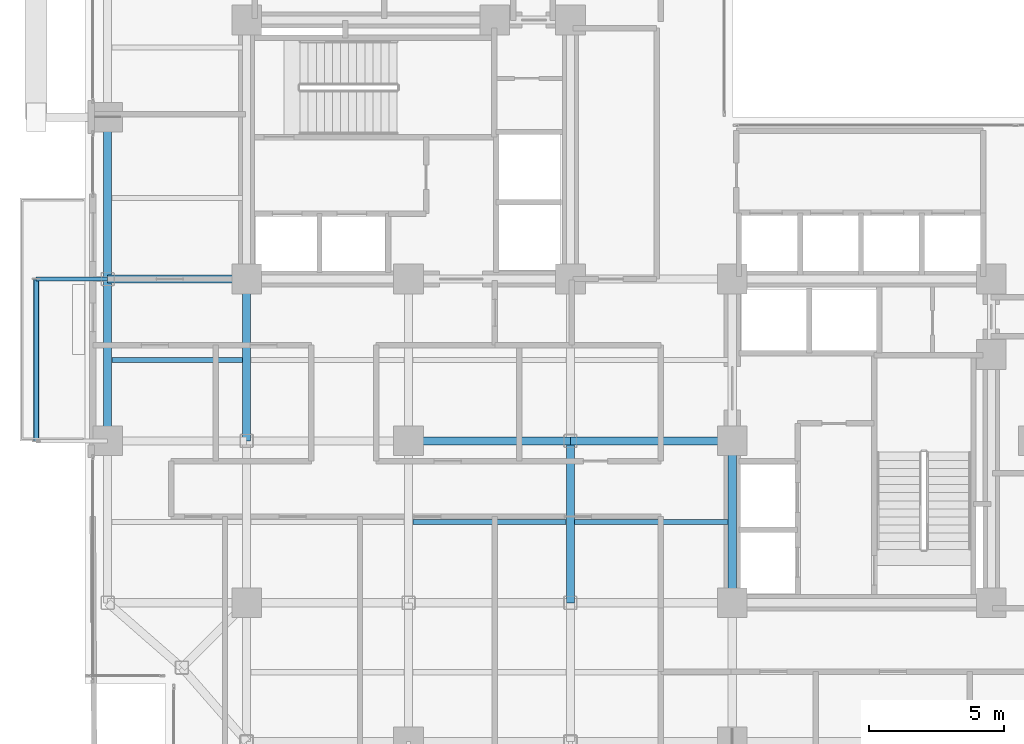
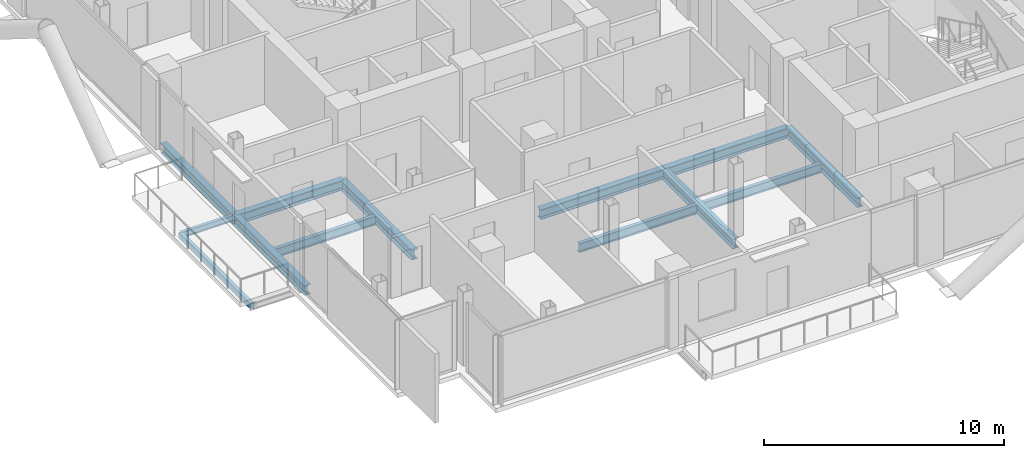
# One storey, part 5 of 24: 13 beams.
"""IFC4 building model written with IfcOpenShell, lengths in metres."""

import ifcopenshell
import ifcopenshell.guid

model = None  # the IFC model being written
_history = None  # IfcOwnerHistory: only IFC2X3 demands one
_inside = {}  # id of a spatial element -> (the spatial element, [elements in it])
_under = {}  # id of a project, library or spatial element -> (it, [spatial elements below it])
_declared = {}  # id of a project -> (the project, [libraries it declares])
_typed = {}  # id of a type object -> (the type object, [elements of that type])
_made_of = {}  # id of a material, layer set ... -> (it, [elements and type objects made of it])


def new_model(schema):
    """Start an empty IFC model of exactly this schema.

    Asked for "IFC4X3", IfcOpenShell would pick the latest addendum, in which some entities
    have other attributes; the version numbers below select the first issue.
    IFC2X3 requires an IfcOwnerHistory on every rooted entity: one is made here for all.
    """
    global model, _history
    if schema == "IFC4X3":
        model = ifcopenshell.file(schema_version=(4, 3, 0, 0))
    else:
        model = ifcopenshell.file(schema=schema)
    _inside.clear()
    _under.clear()
    _declared.clear()
    _typed.clear()
    _made_of.clear()
    _history = None
    if model.schema == "IFC2X3":
        org = make("IfcOrganization", Name="unknown")
        user = make(
            "IfcPersonAndOrganization",
            ThePerson=make("IfcPerson", FamilyName="unknown"),
            TheOrganization=org,
        )
        app = make(
            "IfcApplication",
            ApplicationDeveloper=org,
            Version="unknown",
            ApplicationFullName="unknown",
            ApplicationIdentifier="unknown",
        )
        _history = make(
            "IfcOwnerHistory",
            OwningUser=user,
            OwningApplication=app,
            ChangeAction="ADDED",
            CreationDate=0,
        )
    return model


def make(cls, **values):
    """One entity of the class cls with the attributes given. An attribute that is None is left unset."""
    return model.create_entity(
        cls, **{name: value for name, value in values.items() if value is not None}
    )


def rooted(cls, **values):
    """An entity with a GlobalId (a new one), such as an element, a storey or a relation."""
    return make(cls, GlobalId=ifcopenshell.guid.new(), OwnerHistory=_history, **values)


def si_unit(unit_type, name, prefix=None):
    """IfcSIUnit, for example si_unit("LENGTHUNIT", "METRE", prefix="MILLI")."""
    return make("IfcSIUnit", UnitType=unit_type, Prefix=prefix, Name=name)


def assignment(units):
    """IfcUnitAssignment: the units of a project."""
    return None if units is None else make("IfcUnitAssignment", Units=units)


def point(xyz):
    """IfcCartesianPoint."""
    return None if xyz is None else make("IfcCartesianPoint", Coordinates=xyz)


def direction(xyz):
    """IfcDirection."""
    return None if xyz is None else make("IfcDirection", DirectionRatios=xyz)


def frame(location, z_axis=None, x_axis=None):
    """IfcAxis2Placement3D, a coordinate frame: its origin and axes. An axis left out is left unset."""
    return make(
        "IfcAxis2Placement3D",
        Location=point(location),
        Axis=direction(z_axis),
        RefDirection=direction(x_axis),
    )


def frame_2d(location, x_axis=None):
    """IfcAxis2Placement2D, a coordinate frame in the plane: its origin and x axis."""
    return make(
        "IfcAxis2Placement2D", Location=point(location), RefDirection=direction(x_axis)
    )


def origin():
    """The frame at (0, 0, 0) with its axes left unset."""
    return frame((0.0, 0.0, 0.0))


def origin_2d():
    """The frame at (0, 0) in the plane with its x axis left unset."""
    return frame_2d((0.0, 0.0))


def place(relative_to, where):
    """IfcLocalPlacement: puts the frame where relative to a parent placement (None: the world)."""
    return make(
        "IfcLocalPlacement", PlacementRelTo=relative_to, RelativePlacement=where
    )


def context(
    kind, dimensions, precision=None, world=None, true_north=None, identifier=None
):
    """IfcGeometricRepresentationContext, for example the 3D "Model" context."""
    return make(
        "IfcGeometricRepresentationContext",
        ContextIdentifier=identifier,
        ContextType=kind,
        CoordinateSpaceDimension=dimensions,
        Precision=precision,
        WorldCoordinateSystem=world,
        TrueNorth=true_north,
    )


def subcontext(parent, identifier, kind, view, scale=None):
    """IfcGeometricRepresentationSubContext, for example "Body" below "Model"."""
    return make(
        "IfcGeometricRepresentationSubContext",
        ContextIdentifier=identifier,
        ContextType=kind,
        ParentContext=parent,
        TargetScale=scale,
        TargetView=view,
    )


def project(units=None, contexts=None):
    """IfcProject with its units and contexts."""
    return rooted(
        "IfcProject",
        Name="project",
        RepresentationContexts=contexts,
        UnitsInContext=assignment(units),
    )


def spatial(cls, under=None, at=None, **own):
    """A site, building, storey or space (cls), placed at a placement, below another one or the project."""
    s = rooted(cls, ObjectPlacement=at, **own)
    if under is not None:
        _under.setdefault(under.id(), (under, []))[1].append(s)
    return s


def profile(cls, at=None, kind="AREA", **sizes):
    """A parametric profile (cls). Its sizes go by their IFC names, for example OverallWidth=200.0."""
    return make(cls, ProfileType=kind, Position=at, **sizes)


def hollow_rectangle(**sizes):
    """IfcRectangleHollowProfileDef."""
    return profile("IfcRectangleHollowProfileDef", **sizes)


def i_section(**sizes):
    """IfcIShapeProfileDef."""
    return profile("IfcIShapeProfileDef", **sizes)


def extrude(swept, where, along, depth):
    """IfcExtrudedAreaSolid: the profile swept, set in the frame where, extruded along a direction by depth."""
    return make(
        "IfcExtrudedAreaSolid",
        SweptArea=swept,
        Position=where,
        ExtrudedDirection=direction(along),
        Depth=depth,
    )


def shape(context_of_items, identifier, shape_type, items):
    """IfcShapeRepresentation: the items that make up one representation, for example the "Body"."""
    return make(
        "IfcShapeRepresentation",
        ContextOfItems=context_of_items,
        RepresentationIdentifier=identifier,
        RepresentationType=shape_type,
        Items=items,
    )


def material(Name=None, Category=None):
    """IfcMaterial."""
    return make("IfcMaterial", Name=Name, Category=Category)


def material_profile(
    of_material, cross_section, Name=None, Category=None, Priority=None
):
    """IfcMaterialProfile: a cross section and its material."""
    return make(
        "IfcMaterialProfile",
        Name=Name,
        Material=of_material,
        Profile=cross_section,
        Priority=Priority,
        Category=Category,
    )


def profile_set(profiles, Name=None, composite=None):
    """IfcMaterialProfileSet."""
    return make(
        "IfcMaterialProfileSet",
        Name=Name,
        MaterialProfiles=profiles,
        CompositeProfile=composite,
    )


def made_of(thing, what):
    """Note that an element or type object is made of a material, layer set ...; save() writes the relation."""
    if what is not None:
        _made_of.setdefault(what.id(), (what, []))[1].append(thing)
    return thing


def type_object(cls, material=None, **own):
    """A type object (cls), such as IfcWallType, which elements share."""
    return made_of(rooted(cls, **own), material)


def element(
    cls,
    number,
    at=None,
    inside=None,
    cuts=None,
    type_object=None,
    material=None,
    context=None,
    identifier="Body",
    shape_type=None,
    held_by="IfcProductDefinitionShape",
    body=None,
    shapes=None,
    **own,
):
    """One element of the class cls, such as IfcWall. Its Tag is "e" and its number.

    at: its placement. inside: the storey or other place that contains it. cuts: it is an
    opening in that element (IfcRelVoidsElement). A single representation is given by context,
    identifier, shape_type and body (its items); several are given by shapes. held_by: the class
    of the entity that holds the representations. save() writes the other relations.
    """
    e = rooted(cls, Tag="e%d" % number, ObjectPlacement=at, **own)
    if body is not None:
        shapes = [shape(context, identifier, shape_type, body)]
    if shapes is not None:
        e.Representation = make(held_by, Representations=shapes)
    if inside is not None:
        _inside.setdefault(inside.id(), (inside, []))[1].append(e)
    if cuts is not None:
        rooted(
            "IfcRelVoidsElement", RelatingBuildingElement=cuts, RelatedOpeningElement=e
        )
    if type_object is not None:
        _typed.setdefault(type_object.id(), (type_object, []))[1].append(e)
    return made_of(e, material)


def aggregate(whole, parts):
    """IfcRelAggregates: a whole, such as a stair, and the parts it consists of."""
    return rooted("IfcRelAggregates", RelatingObject=whole, RelatedObjects=parts)


def save(model, path):
    """Write the relations noted so far, then the file.

    IfcRelAggregates (storeys below a building ...), IfcRelContainedInSpatialStructure (elements
    in a storey), IfcRelDefinesByType, IfcRelAssociatesMaterial and IfcRelDeclares: one each for
    every whole, place, type object, material and project.
    """
    for whole, parts in _under.values():
        aggregate(whole, parts)
    for where, things in _inside.values():
        rooted(
            "IfcRelContainedInSpatialStructure",
            RelatedElements=things,
            RelatingStructure=where,
        )
    for kind, things in _typed.values():
        rooted("IfcRelDefinesByType", RelatedObjects=things, RelatingType=kind)
    for what, things in _made_of.values():
        rooted("IfcRelAssociatesMaterial", RelatedObjects=things, RelatingMaterial=what)
    for by, libraries in _declared.values():
        rooted("IfcRelDeclares", RelatingContext=by, RelatedDefinitions=libraries)
    model.write(path)


model = new_model("IFC4")

# Units and contexts
model_context = context("Model", 3, precision=1e-05, world=origin(), true_north=direction((0.0, 1.0)))
body_context = subcontext(model_context, "Body", "Model", "MODEL_VIEW")
ifc_project = project(units=[si_unit("LENGTHUNIT", "METRE"), si_unit("AREAUNIT", "SQUARE_METRE"), si_unit("VOLUMEUNIT", "CUBIC_METRE"), si_unit("PLANEANGLEUNIT", "RADIAN"), si_unit("MASSUNIT", "GRAM", prefix="KILO"), si_unit("THERMODYNAMICTEMPERATUREUNIT", "KELVIN"), si_unit("POWERUNIT", "WATT")], contexts=[model_context])

# Site, building, storey
site_placement = place(None, origin())
site = spatial("IfcSite", under=ifc_project, at=site_placement, CompositionType="ELEMENT")
building_placement = place(site_placement, origin())
building = spatial("IfcBuilding", under=site, at=building_placement, Name="Svarakhadi Broadcast Tower", CompositionType="ELEMENT")
storey_placement = place(building_placement, frame((0.0, 0.0, 115.64990234375)))
storey = spatial("IfcBuildingStorey", under=building, at=storey_placement, Name="L27", CompositionType="ELEMENT", Elevation=115.64990234375)

# Beams
ifc_material_1 = material(Name="Steel S355J2 (IS 2062 E350C)", Category="steel")
ifc_material_profile_1 = material_profile(ifc_material_1, i_section(OverallWidth=0.18994140625, OverallDepth=0.449951171875, WebThickness=0.009521484375, FlangeThickness=0.0146484375, FilletRadius=0.02099609375, at=origin_2d()), Name="NPB 450x190x78")
ifc_profile_set_1 = profile_set([ifc_material_profile_1], Name="Steel S355J2 (IS 2062 E350C)")
beam_type_1 = type_object("IfcBeamType", Name="Beam_NPB450", PredefinedType="BEAM", material=ifc_profile_set_1)
beam_1_placement = place(storey_placement, frame((1.010009765625, 15.0, -0.449951171875), z_axis=(1.0, 0.0, 0.0), x_axis=(0.0, 1.0, 0.0)))
element("IfcBeam", 1, at=beam_1_placement, inside=storey, type_object=beam_type_1, Name="L27 Secondary Composite Beam SB002", PredefinedType="BEAM", context=body_context, shape_type="SweptSolid", body=[
    extrude(i_section(OverallWidth=0.18994140625, OverallDepth=0.449951171875, WebThickness=0.009521484375, FlangeThickness=0.0146484375, FilletRadius=0.02099609375, at=origin_2d()), origin(), (0.0, 0.0, 1.0), 4.830078125),
])
for number, where, z_axis, x_axis, name in (
    (2, (12.159912109375, 9.0, -0.449951171875), (1.0, 0.0, 0.0), (0.0, 1.0, 0.0), "L27 Secondary Composite Beam SB012"),
    (3, (18.159912109375, 9.0, -0.449951171875), (1.0, 0.0, 0.0), (0.0, 1.0, 0.0), "L27 Secondary Composite Beam SB017"),
):
    element("IfcBeam", number, at=place(storey_placement, frame(where, z_axis=z_axis, x_axis=x_axis)), inside=storey, type_object=beam_type_1, Name=name, PredefinedType="BEAM", context=body_context, shape_type="SweptSolid", body=[
        extrude(i_section(OverallWidth=0.18994140625, OverallDepth=0.449951171875, WebThickness=0.009521484375, FlangeThickness=0.0146484375, FilletRadius=0.02099609375, at=origin_2d()), origin(), (0.0, 0.0, 1.0), 5.68017578125),
    ])
ifc_material_profile_2 = material_profile(ifc_material_1, i_section(OverallWidth=0.300048828125, OverallDepth=0.5, WebThickness=0.014404296875, FlangeThickness=0.028076171875, FilletRadius=0.027099609375, at=origin_2d()), Name="WPB 500x300x187")
ifc_profile_set_2 = profile_set([ifc_material_profile_2], Name="Steel S355J2 (IS 2062 E350C)")
beam_type_2 = type_object("IfcBeamType", Name="Girder_WPB500", PredefinedType="USERDEFINED", material=ifc_profile_set_2)
for number, where, z_axis, x_axis, name in (
    (4, (12.0, 12.0, -0.474853515625), (1.0, 0.0, 0.0), (0.0, 1.0, 0.0), "L27 Primary E-W Girder G019"),
    (5, (18.0, 12.0, -0.474853515625), (1.0, 0.0, 0.0), (0.0, 1.0, 0.0), "L27 Primary E-W Girder G020"),
):
    element("IfcBeam", number, at=place(storey_placement, frame(where, z_axis=z_axis, x_axis=x_axis)), inside=storey, type_object=beam_type_2, Name=name, ObjectType="GIRDER", PredefinedType="USERDEFINED", context=body_context, shape_type="SweptSolid", body=[
        extrude(i_section(OverallWidth=0.300048828125, OverallDepth=0.5, WebThickness=0.014404296875, FlangeThickness=0.028076171875, FilletRadius=0.027099609375, at=origin_2d()), origin(), (0.0, 0.0, 1.0), 6.0),
    ])
beam_2_placement = place(storey_placement, frame((0.85009765625, 18.0, -0.474853515625), z_axis=(1.0, 0.0, 0.0), x_axis=(0.0, 1.0, 0.0)))
element("IfcBeam", 6, at=beam_2_placement, inside=storey, type_object=beam_type_2, Name="L27 Primary E-W Girder G023", ObjectType="GIRDER", PredefinedType="USERDEFINED", context=body_context, shape_type="SweptSolid", body=[
    extrude(i_section(OverallWidth=0.300048828125, OverallDepth=0.5, WebThickness=0.014404296875, FlangeThickness=0.028076171875, FilletRadius=0.027099609375, at=origin_2d()), origin(), (0.0, 0.0, 1.0), 5.14990234375),
])
for number, where, z_axis, x_axis, name in (
    (7, (0.85009765625, 12.0, -0.474853515625), (0.0, 1.0, 0.0), (-1.0, 0.0, 0.0), "L27 Primary N-S Girder G041"),
    (8, (0.85009765625, 18.0, -0.474853515625), (0.0, 1.0, 0.0), (-1.0, 0.0, 0.0), "L27 Primary N-S Girder G042"),
    (9, (6.0, 12.0, -0.474853515625), (0.0, 1.0, 0.0), (-1.0, 0.0, 0.0), "L27 Primary N-S Girder G047"),
    (10, (18.0, 6.0, -0.474853515625), (0.0, 1.0, 0.0), (-1.0, 0.0, 0.0), "L27 Primary N-S Girder G057"),
    (11, (24.0, 6.0, -0.474853515625), (0.0, 1.0, 0.0), (-1.0, 0.0, 0.0), "L27 Primary N-S Girder G063"),
):
    element("IfcBeam", number, at=place(storey_placement, frame(where, z_axis=z_axis, x_axis=x_axis)), inside=storey, type_object=beam_type_2, Name=name, ObjectType="GIRDER", PredefinedType="USERDEFINED", context=body_context, shape_type="SweptSolid", body=[
        extrude(i_section(OverallWidth=0.300048828125, OverallDepth=0.5, WebThickness=0.014404296875, FlangeThickness=0.028076171875, FilletRadius=0.027099609375, at=origin_2d()), origin(), (0.0, 0.0, 1.0), 6.0),
    ])
ifc_material_profile_3 = material_profile(ifc_material_1, i_section(OverallWidth=0.14990234375, OverallDepth=0.300048828125, WebThickness=0.007080078125, FlangeThickness=0.0107421875, FilletRadius=0.014892578125, at=origin_2d()), Name="NPB 300x150x37")
ifc_profile_set_3 = profile_set([ifc_material_profile_3], Name="Steel S355J2 (IS 2062 E350C)")
beam_type_3 = type_object("IfcBeamType", Name="Spandrel_NPB300", PredefinedType="SPANDREL", material=ifc_profile_set_3)
beam_3_placement = place(storey_placement, frame((0.85009765625, 18.0, -0.375), z_axis=(-1.0, 0.0, 0.0), x_axis=(0.0, -1.0, 0.0)))
element("IfcBeam", 12, at=beam_3_placement, inside=storey, type_object=beam_type_3, Name="L27 Balcony Cantilever Bracket 2B", PredefinedType="SPANDREL", context=body_context, shape_type="SweptSolid", body=[
    extrude(i_section(OverallWidth=0.14990234375, OverallDepth=0.300048828125, WebThickness=0.007080078125, FlangeThickness=0.0107421875, FilletRadius=0.014892578125, at=origin_2d()), origin(), (0.0, 0.0, 1.0), 2.650146484375),
])
ifc_material_2 = material(Name="Steel S460ML (IS 2062 E450BR)", Category="steel")
ifc_material_profile_4 = material_profile(ifc_material_2, hollow_rectangle(XDim=0.199951171875, YDim=0.300048828125, WallThickness=0.012451171875, InnerFilletRadius=0.012451171875, OuterFilletRadius=0.02490234375, at=origin_2d()), Name="RHS 300x200x12.5")
ifc_profile_set_4 = profile_set([ifc_material_profile_4], Name="Steel S460ML (IS 2062 E450BR)")
beam_type_4 = type_object("IfcBeamType", Name="Spandrel_RHS300", PredefinedType="SPANDREL", material=ifc_profile_set_4)
beam_4_placement = place(storey_placement, frame((-1.800048828125, 12.0, -0.375), z_axis=(0.0, 1.0, 0.0), x_axis=(-1.0, 0.0, 0.0)))
element("IfcBeam", 13, at=beam_4_placement, inside=storey, type_object=beam_type_4, Name="L27 Balcony Outer Spandrel 2F", PredefinedType="SPANDREL", context=body_context, shape_type="SweptSolid", body=[
    extrude(hollow_rectangle(XDim=0.199951171875, YDim=0.300048828125, WallThickness=0.012451171875, InnerFilletRadius=0.012451171875, OuterFilletRadius=0.02490234375, at=origin_2d()), origin(), (0.0, 0.0, 1.0), 6.0),
])

save(model, "model.ifc")
